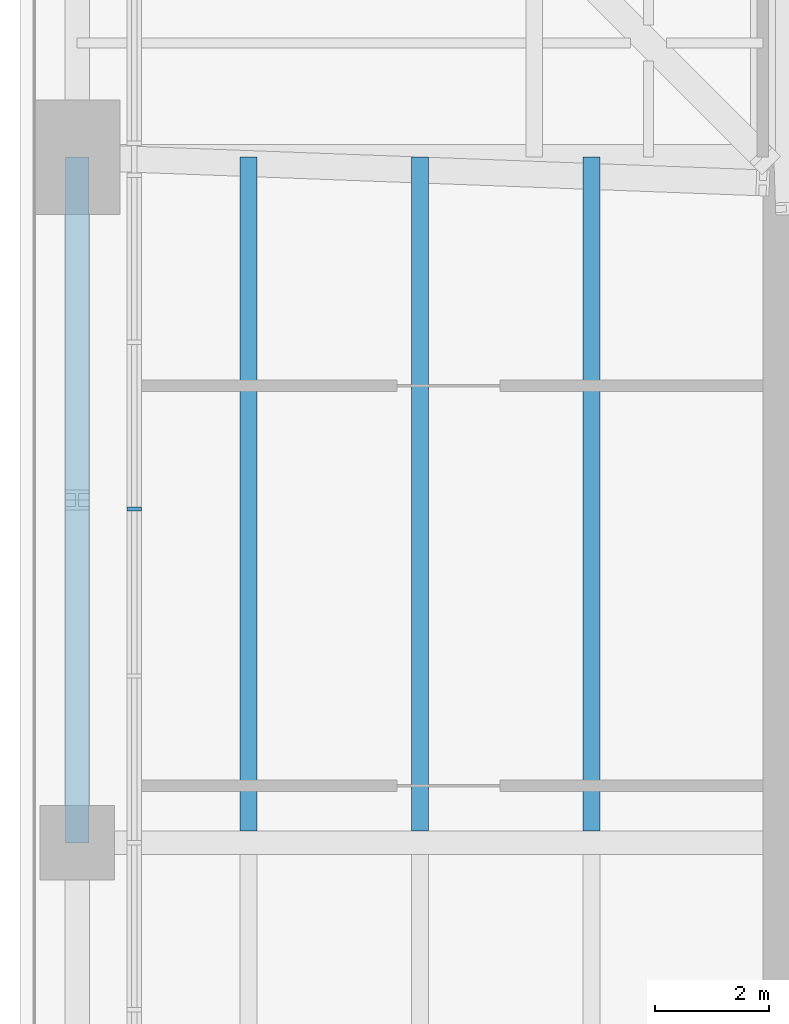
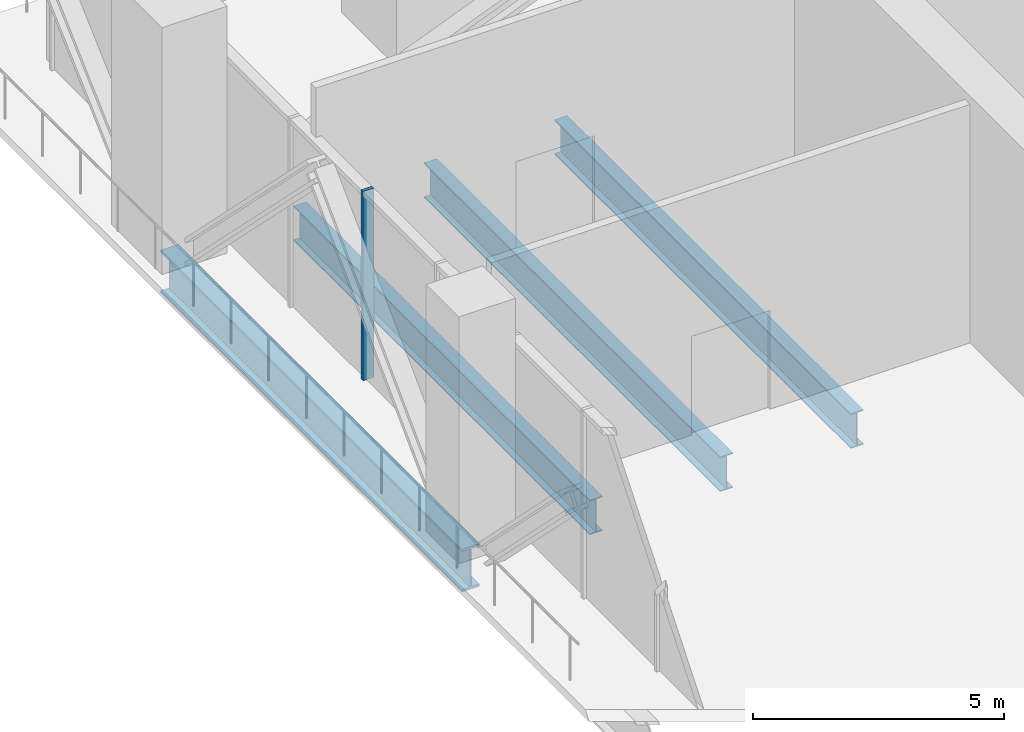
# One storey, part 4 of 14: 4 beams, 1 member, 1 element without a shape of its own.
"""IFC4 building model written with IfcOpenShell, lengths in metres."""

from ifc_helpers import new_model, si_unit, direction, frame, origin, origin_2d, place, context, subcontext, project, spatial, rectangle, i_section, extrude, material, material_profile, profile_set, type_object, element, aggregate, save


model = new_model("IFC4")

# Units and contexts
model_context = context("Model", 3, precision=1e-05, world=origin(), true_north=direction((0.0, 1.0)))
body_context = subcontext(model_context, "Body", "Model", "MODEL_VIEW")
ifc_project = project(units=[si_unit("LENGTHUNIT", "METRE"), si_unit("AREAUNIT", "SQUARE_METRE"), si_unit("VOLUMEUNIT", "CUBIC_METRE"), si_unit("PLANEANGLEUNIT", "RADIAN"), si_unit("MASSUNIT", "GRAM", prefix="KILO")], contexts=[model_context])

# Site, building, storey
site_placement = place(None, origin())
site = spatial("IfcSite", under=ifc_project, at=site_placement, CompositionType="ELEMENT")
building_placement = place(site_placement, origin())
building = spatial("IfcBuilding", under=site, at=building_placement, Name="Fenwick Lantern Interchange", CompositionType="ELEMENT")
storey_placement = place(building_placement, frame((0.0, 0.0, 162.39990234375)))
storey = spatial("IfcBuildingStorey", under=building, at=storey_placement, Name="L38", CompositionType="ELEMENT", Elevation=162.39990234375)

# Beams
ifc_material_1 = material(Name="Steel ASTM A992 Grade 50", Category="steel")
ifc_material_profile_1 = material_profile(ifc_material_1, i_section(OverallWidth=0.408935546875, OverallDepth=1.04150390625, WebThickness=0.031005859375, FlangeThickness=0.055908203125, at=origin_2d()), Name="W40X397")
ifc_profile_set_1 = profile_set([ifc_material_profile_1], Name="Steel ASTM A992 Grade 50")
beam_type_1 = type_object("IfcBeamType", Name="EDGE BEAM W40X397", PredefinedType="SPANDREL", material=ifc_profile_set_1)
beam_placement = place(storey_placement, frame((1.0, 37.0, -0.720703125), z_axis=(0.0, -1.0, 0.0), x_axis=(1.0, 0.0, 0.0)))
element("IfcBeam", 1, at=beam_placement, inside=storey, type_object=beam_type_1, Name="L38/FR/W/EB2", PredefinedType="SPANDREL", context=body_context, shape_type="SweptSolid", body=[
    extrude(i_section(OverallWidth=0.408935546875, OverallDepth=1.04150390625, WebThickness=0.031005859375, FlangeThickness=0.055908203125, at=origin_2d()), origin(), (0.0, 0.0, 1.0), 12.0),
])
ifc_material_profile_2 = material_profile(ifc_material_1, i_section(OverallWidth=0.2919921875, OverallDepth=0.845703125, WebThickness=0.015380859375, FlangeThickness=0.0244140625, at=origin_2d()), Name="W33X141")
ifc_profile_set_2 = profile_set([ifc_material_profile_2], Name="Steel ASTM A992 Grade 50")
beam_type_2 = type_object("IfcBeamType", Name="FLOOR BEAM W33X141", PredefinedType="BEAM", material=ifc_profile_set_2)
for number, where, z_axis, x_axis, name in (
    (2, (4.0, 37.0, -0.622802734375), (0.0, -1.0, 0.0), (1.0, 0.0, 0.0), "L38/FR/W/B01"),
    (3, (7.0, 37.0, -0.622802734375), (0.0, -1.0, 0.0), (1.0, 0.0, 0.0), "L38/FR/W/B02"),
    (4, (10.0, 37.0, -0.622802734375), (0.0, -1.0, 0.0), (1.0, 0.0, 0.0), "L38/FR/W/B03"),
):
    element("IfcBeam", number, at=place(storey_placement, frame(where, z_axis=z_axis, x_axis=x_axis)), inside=storey, type_object=beam_type_2, Name=name, PredefinedType="BEAM", context=body_context, shape_type="SweptSolid", body=[
        extrude(i_section(OverallWidth=0.2919921875, OverallDepth=0.845703125, WebThickness=0.015380859375, FlangeThickness=0.0244140625, at=origin_2d()), origin(), (0.0, 0.0, 1.0), 11.79541015625),
    ])

# Curtain wall, member
ifc_material_2 = material(Name="Aluminium curtain wall frame", Category="aluminium")
curtain_wall_type = type_object("IfcCurtainWallType", Name="PLANT LOUVRE SCREEN", PredefinedType="USERDEFINED", material=ifc_material_2)
curtain_wall_placement = place(storey_placement, origin())
curtain_wall = element("IfcCurtainWall", 5, at=curtain_wall_placement, inside=storey, type_object=curtain_wall_type, Name="Plant louvre screen 12B", ObjectType="PLANT LOUVRE SCREEN", PredefinedType="USERDEFINED")
ifc_material_3 = material(Name="Aluminium extrusion", Category="aluminium")
ifc_material_profile_3 = material_profile(ifc_material_3, rectangle(XDim=0.25, YDim=0.074951171875, at=origin_2d()), Name="PLANT LOUVRE SCREEN MULLION 75 X 250")
ifc_profile_set_3 = profile_set([ifc_material_profile_3], Name="Aluminium extrusion")
member_type = type_object("IfcMemberType", Name="PLANT LOUVRE SCREEN MULLION 75 X 250", PredefinedType="MULLION", material=ifc_profile_set_3)
member_placement = place(storey_placement, frame((2.0, 30.84130859375, 0.0), z_axis=(0.0, 0.0, 1.0), x_axis=(1.0, 0.0, 0.0)))
member = element("IfcMember", 6, at=member_placement, type_object=member_type, Name="L38/CW/12B/M02", PredefinedType="MULLION", context=body_context, shape_type="SweptSolid", body=[
    extrude(rectangle(XDim=0.25, YDim=0.074951171875, at=origin_2d()), origin(), (0.0, 0.0, 1.0), 4.60009765625),
])
aggregate(curtain_wall, [member])

save(model, "model.ifc")
